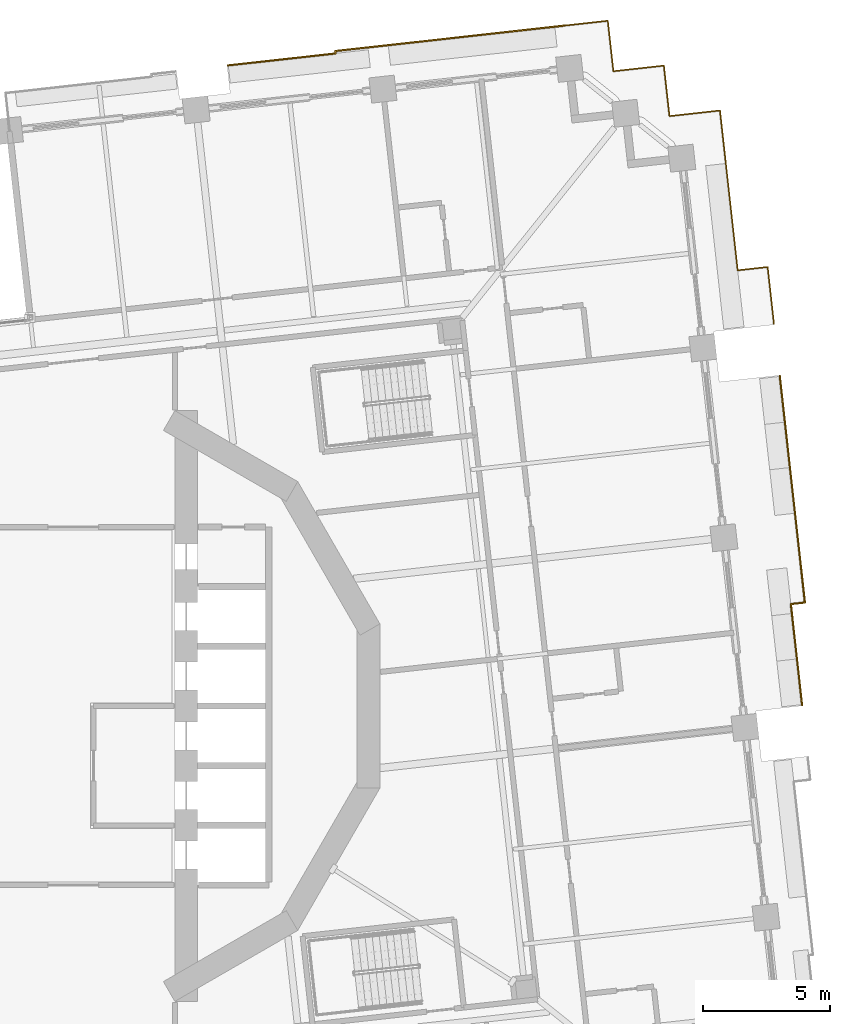
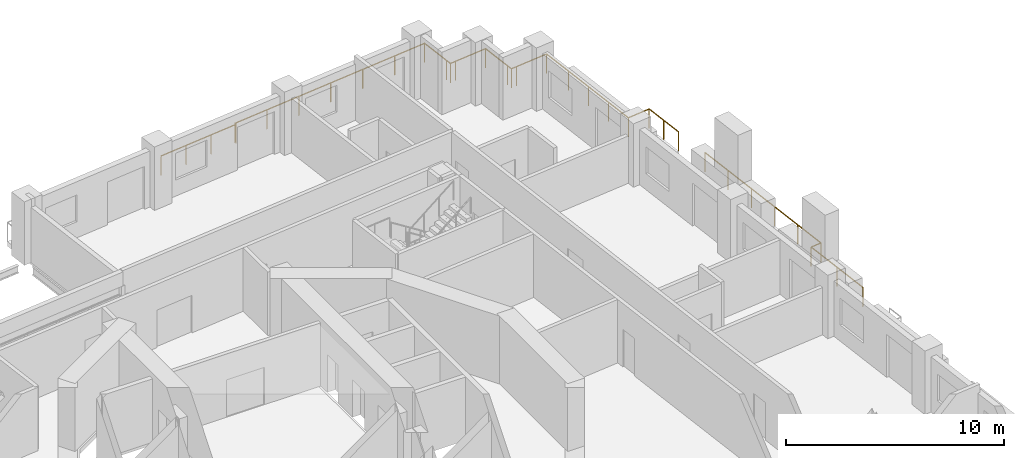
# One storey, part 20 of 21: 3 railings.
"""IFC4 building model written with IfcOpenShell, lengths in metres."""

from ifc_helpers import new_model, si_unit, direction, frame, origin, origin_2d, place, context, subcontext, project, spatial, circle, extrude, material, type_object, element, save


model = new_model("IFC4")

# Units and contexts
model_context = context("Model", 3, precision=1e-05, world=origin(), true_north=direction((0.0, 1.0)))
body_context = subcontext(model_context, "Body", "Model", "MODEL_VIEW")
ifc_project = project(units=[si_unit("LENGTHUNIT", "METRE"), si_unit("AREAUNIT", "SQUARE_METRE"), si_unit("VOLUMEUNIT", "CUBIC_METRE"), si_unit("PLANEANGLEUNIT", "RADIAN"), si_unit("MASSUNIT", "GRAM", prefix="KILO")], contexts=[model_context])

# Site, building, storey
site_placement = place(None, origin())
site = spatial("IfcSite", under=ifc_project, at=site_placement, CompositionType="ELEMENT")
building_placement = place(site_placement, origin())
building = spatial("IfcBuilding", under=site, at=building_placement, Name="Cantera Rosa Tower", CompositionType="ELEMENT")
storey_placement = place(building_placement, frame((0.0, 0.0, 57.699951171875)))
storey = spatial("IfcBuildingStorey", under=building, at=storey_placement, Name="L11", CompositionType="ELEMENT", Elevation=57.699951171875)

# Railings
ifc_material = material(Name="Stainless steel and laminated glass", Category="steel")
railing_type = type_object("IfcRailingType", Name="GUARD 1100", PredefinedType="BALUSTRADE", material=ifc_material)
railing_1_placement = place(storey_placement, frame((27.823486328125, 12.99853515625, 0.0)))
element("IfcRailing", 1, at=railing_1_placement, inside=storey, type_object=railing_type, Name="GUARD L11-12", PredefinedType="BALUSTRADE", context=body_context, shape_type="SweptSolid", body=[
    extrude(circle(Radius=0.030029296875, at=origin_2d()), frame((0.0, 0.0, 1.070068359375), z_axis=(0.11030317772, -0.993897987212, 0.0), x_axis=(0.993897987212, 0.11030317772, 0.0)), (0.0, 0.0, 1.0), 8.977294921875),
    extrude(circle(Radius=0.030029296875, at=origin_2d()), frame((0.990234375, -8.922607421875, 1.070068359375), z_axis=(-0.993873032391, -0.110527804132, 0.0), x_axis=(0.110527804132, -0.993873032391, 0.0)), (0.0, 0.0, 1.0), 0.556640625),
    extrude(circle(Radius=0.030029296875, at=origin_2d()), frame((0.43701171875, -8.984130859375, 1.070068359375), z_axis=(0.110344492621, -0.9938934012, 0.0), x_axis=(0.9938934012, 0.110344492621, 0.0)), (0.0, 0.0, 1.0), 4.00244140625),
    extrude(circle(Radius=0.02490234375, at=origin_2d()), origin(), (0.0, 0.0, 1.0), 1.0400390625),
    extrude(circle(Radius=0.02490234375, at=origin_2d()), frame((0.197998046875, -1.784423828125, 0.0)), (0.0, 0.0, 1.0), 1.0400390625),
    extrude(circle(Radius=0.02490234375, at=origin_2d()), frame((0.39599609375, -3.569091796875, 0.0)), (0.0, 0.0, 1.0), 1.0400390625),
    extrude(circle(Radius=0.02490234375, at=origin_2d()), frame((0.59423828125, -5.353515625, 0.0)), (0.0, 0.0, 1.0), 1.0400390625),
    extrude(circle(Radius=0.02490234375, at=origin_2d()), frame((0.792236328125, -7.13818359375, 0.0)), (0.0, 0.0, 1.0), 1.0400390625),
    extrude(circle(Radius=0.02490234375, at=origin_2d()), frame((0.990234375, -8.922607421875, 0.0)), (0.0, 0.0, 1.0), 1.0400390625),
    extrude(circle(Radius=0.02490234375, at=origin_2d()), frame((0.43701171875, -8.984130859375, 0.0)), (0.0, 0.0, 1.0), 1.0400390625),
    extrude(circle(Radius=0.02490234375, at=origin_2d()), frame((0.65771484375, -10.97314453125, 0.0)), (0.0, 0.0, 1.0), 1.0400390625),
    extrude(circle(Radius=0.02490234375, at=origin_2d()), frame((0.878662109375, -12.962158203125, 0.0)), (0.0, 0.0, 1.0), 1.0400390625),
])
railing_2_placement = place(storey_placement, frame((19.36181640625, 26.79931640625, 0.0)))
element("IfcRailing", 2, at=railing_2_placement, inside=storey, type_object=railing_type, Name="GUARD L11-13", PredefinedType="BALUSTRADE", context=body_context, shape_type="SweptSolid", body=[
    extrude(circle(Radius=0.030029296875, at=origin_2d()), frame((0.0, 0.0, 1.070068359375), z_axis=(0.993883734674, 0.110431526075, 0.0), x_axis=(-0.110431526075, 0.993883734674, 0.0)), (0.0, 0.0, 1.0), 1.7001953125),
    extrude(circle(Radius=0.030029296875, at=origin_2d()), frame((1.689697265625, 0.187744140625, 1.070068359375), z_axis=(0.110289669906, -0.993899486222, 0.0), x_axis=(0.993899486222, 0.110289669906, 0.0)), (0.0, 0.0, 1.0), 1.699951171875),
    extrude(circle(Radius=0.030029296875, at=origin_2d()), frame((1.877197265625, -1.501953125, 1.070068359375), z_axis=(0.110699535641, -0.99385391925, 0.0), x_axis=(0.99385391925, 0.110699535641, 0.0)), (0.0, 0.0, 1.0), 0.300048828125),
    extrude(circle(Radius=0.030029296875, at=origin_2d()), frame((1.910400390625, -1.800048828125, 1.070068359375), z_axis=(0.993943154022, 0.10989543472, 0.0), x_axis=(-0.10989543472, 0.993943154022, 0.0)), (0.0, 0.0, 1.0), 0.2998046875),
    extrude(circle(Radius=0.030029296875, at=origin_2d()), frame((2.20849609375, -1.76708984375, 1.070068359375), z_axis=(0.993899486222, 0.110289669906, 0.0), x_axis=(-0.110289669906, 0.993899486222, 0.0)), (0.0, 0.0, 1.0), 1.699951171875),
    extrude(circle(Radius=0.030029296875, at=origin_2d()), frame((3.898193359375, -1.57958984375, 1.070068359375), z_axis=(0.110305413813, -0.993897739047, 0.0), x_axis=(0.993897739047, 0.110305413813, 0.0)), (0.0, 0.0, 1.0), 1.69970703125),
    extrude(circle(Radius=0.030029296875, at=origin_2d()), frame((4.085693359375, -3.26904296875, 1.070068359375), z_axis=(0.1098065887, -0.993952973273, 0.0), x_axis=(0.993952973273, 0.1098065887, 0.0)), (0.0, 0.0, 1.0), 0.300048828125),
    extrude(circle(Radius=0.030029296875, at=origin_2d()), frame((4.11865234375, -3.5673828125, 1.070068359375), z_axis=(0.993863881828, 0.110610055588, 0.0), x_axis=(-0.110610055588, 0.993863881828, 0.0)), (0.0, 0.0, 1.0), 0.30029296875),
    extrude(circle(Radius=0.030029296875, at=origin_2d()), frame((4.4169921875, -3.5341796875, 1.070068359375), z_axis=(0.993897739047, 0.110305413813, 0.0), x_axis=(-0.110305413813, 0.993897739047, 0.0)), (0.0, 0.0, 1.0), 1.69970703125),
    extrude(circle(Radius=0.030029296875, at=origin_2d()), frame((6.1064453125, -3.3466796875, 1.070068359375), z_axis=(0.110289669906, -0.993899486222, 0.0), x_axis=(0.993899486222, 0.110289669906, 0.0)), (0.0, 0.0, 1.0), 1.699951171875),
    extrude(circle(Radius=0.030029296875, at=origin_2d()), frame((6.2939453125, -5.036376953125, 1.070068359375), z_axis=(0.110310048323, -0.993897224686, 0.0), x_axis=(0.993897224686, 0.110310048323, 0.0)), (0.0, 0.0, 1.0), 4.63232421875),
    extrude(circle(Radius=0.030029296875, at=origin_2d()), frame((6.804931640625, -9.640380859375, 1.070068359375), z_axis=(0.993911279604, 0.110183339373, 0.0), x_axis=(-0.110183339373, 0.993911279604, 0.0)), (0.0, 0.0, 1.0), 1.187744140625),
    extrude(circle(Radius=0.030029296875, at=origin_2d()), frame((7.9853515625, -9.509521484375, 1.070068359375), z_axis=(0.110312824257, -0.993896916589, 0.0), x_axis=(0.993896916589, 0.110312824257, 0.0)), (0.0, 0.0, 1.0), 2.25732421875),
    extrude(circle(Radius=0.02490234375, at=origin_2d()), origin(), (0.0, 0.0, 1.0), 1.0400390625),
    extrude(circle(Radius=0.02490234375, at=origin_2d()), frame((1.689697265625, 0.187744140625, 0.0)), (0.0, 0.0, 1.0), 1.0400390625),
    extrude(circle(Radius=0.02490234375, at=origin_2d()), frame((1.877197265625, -1.501953125, 0.0)), (0.0, 0.0, 1.0), 1.0400390625),
    extrude(circle(Radius=0.02490234375, at=origin_2d()), frame((1.910400390625, -1.800048828125, 0.0)), (0.0, 0.0, 1.0), 1.0400390625),
    extrude(circle(Radius=0.02490234375, at=origin_2d()), frame((2.20849609375, -1.76708984375, 0.0)), (0.0, 0.0, 1.0), 1.0400390625),
    extrude(circle(Radius=0.02490234375, at=origin_2d()), frame((3.898193359375, -1.57958984375, 0.0)), (0.0, 0.0, 1.0), 1.0400390625),
    extrude(circle(Radius=0.02490234375, at=origin_2d()), frame((4.085693359375, -3.26904296875, 0.0)), (0.0, 0.0, 1.0), 1.0400390625),
    extrude(circle(Radius=0.02490234375, at=origin_2d()), frame((4.11865234375, -3.5673828125, 0.0)), (0.0, 0.0, 1.0), 1.0400390625),
    extrude(circle(Radius=0.02490234375, at=origin_2d()), frame((4.4169921875, -3.5341796875, 0.0)), (0.0, 0.0, 1.0), 1.0400390625),
    extrude(circle(Radius=0.02490234375, at=origin_2d()), frame((6.1064453125, -3.3466796875, 0.0)), (0.0, 0.0, 1.0), 1.0400390625),
    extrude(circle(Radius=0.02490234375, at=origin_2d()), frame((6.2939453125, -5.036376953125, 0.0)), (0.0, 0.0, 1.0), 1.0400390625),
    extrude(circle(Radius=0.02490234375, at=origin_2d()), frame((6.46435546875, -6.571044921875, 0.0)), (0.0, 0.0, 1.0), 1.0400390625),
    extrude(circle(Radius=0.02490234375, at=origin_2d()), frame((6.634521484375, -8.105712890625, 0.0)), (0.0, 0.0, 1.0), 1.0400390625),
    extrude(circle(Radius=0.02490234375, at=origin_2d()), frame((6.804931640625, -9.640380859375, 0.0)), (0.0, 0.0, 1.0), 1.0400390625),
    extrude(circle(Radius=0.02490234375, at=origin_2d()), frame((7.9853515625, -9.509521484375, 0.0)), (0.0, 0.0, 1.0), 1.0400390625),
    extrude(circle(Radius=0.02490234375, at=origin_2d()), frame((8.10986328125, -10.63134765625, 0.0)), (0.0, 0.0, 1.0), 1.0400390625),
    extrude(circle(Radius=0.02490234375, at=origin_2d()), frame((8.234375, -11.753173828125, 0.0)), (0.0, 0.0, 1.0), 1.0400390625),
])
railing_3_placement = place(storey_placement, frame((6.083984375, 25.22900390625, 0.0)))
element("IfcRailing", 3, at=railing_3_placement, inside=storey, type_object=railing_type, Name="GUARD L11-14", PredefinedType="BALUSTRADE", context=body_context, shape_type="SweptSolid", body=[
    extrude(circle(Radius=0.030029296875, at=origin_2d()), frame((0.0, 0.0, 1.070068359375), z_axis=(0.993899065121, 0.110293464685, 0.0), x_axis=(-0.110293464685, 0.993899065121, 0.0)), (0.0, 0.0, 1.0), 4.27001953125),
    extrude(circle(Radius=0.030029296875, at=origin_2d()), frame((4.243896484375, 0.470947265625, 1.070068359375), z_axis=(-0.109039814969, 0.994037382975, 0.0), x_axis=(-0.994037382975, -0.109039814969, 0.0)), (0.0, 0.0, 1.0), 0.09619140625),
    extrude(circle(Radius=0.030029296875, at=origin_2d()), frame((4.2333984375, 0.566650390625, 1.070068359375), z_axis=(0.993899102511, 0.110293127745, 0.0), x_axis=(-0.110293127745, 0.993899102511, 0.0)), (0.0, 0.0, 1.0), 9.099853515625),
    extrude(circle(Radius=0.02490234375, at=origin_2d()), origin(), (0.0, 0.0, 1.0), 1.0400390625),
    extrude(circle(Radius=0.02490234375, at=origin_2d()), frame((1.41455078125, 0.156982421875, 0.0)), (0.0, 0.0, 1.0), 1.0400390625),
    extrude(circle(Radius=0.02490234375, at=origin_2d()), frame((2.829345703125, 0.31396484375, 0.0)), (0.0, 0.0, 1.0), 1.0400390625),
    extrude(circle(Radius=0.02490234375, at=origin_2d()), frame((4.243896484375, 0.470947265625, 0.0)), (0.0, 0.0, 1.0), 1.0400390625),
    extrude(circle(Radius=0.02490234375, at=origin_2d()), frame((4.2333984375, 0.566650390625, 0.0)), (0.0, 0.0, 1.0), 1.0400390625),
    extrude(circle(Radius=0.02490234375, at=origin_2d()), frame((6.042236328125, 0.767333984375, 0.0)), (0.0, 0.0, 1.0), 1.0400390625),
    extrude(circle(Radius=0.02490234375, at=origin_2d()), frame((7.85107421875, 0.968017578125, 0.0)), (0.0, 0.0, 1.0), 1.0400390625),
    extrude(circle(Radius=0.02490234375, at=origin_2d()), frame((9.66015625, 1.1689453125, 0.0)), (0.0, 0.0, 1.0), 1.0400390625),
    extrude(circle(Radius=0.02490234375, at=origin_2d()), frame((11.468994140625, 1.36962890625, 0.0)), (0.0, 0.0, 1.0), 1.0400390625),
    extrude(circle(Radius=0.02490234375, at=origin_2d()), frame((13.27783203125, 1.5703125, 0.0)), (0.0, 0.0, 1.0), 1.0400390625),
])

save(model, "model.ifc")
